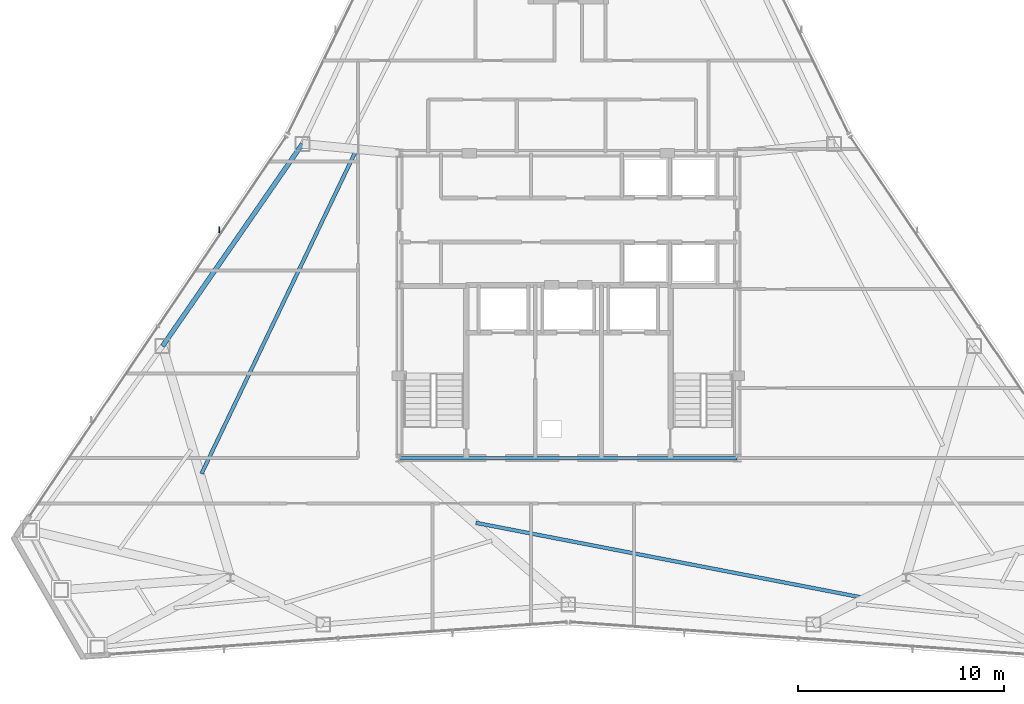
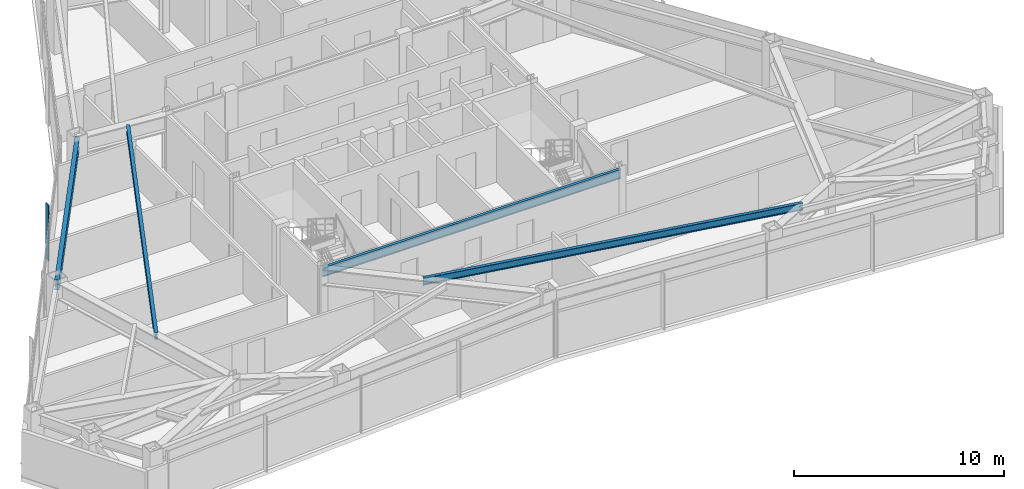
# One storey, part 4 of 12: 4 beams, 1 member, 1 element without a shape of its own.
"""IFC4 building model written with IfcOpenShell, lengths in metres."""

from ifc_helpers import new_model, si_unit, direction, frame, origin, origin_2d, place, context, subcontext, project, spatial, rectangle, i_section, extrude, source, transform, mapped, material, layer, layer_set, material_profile, profile_set, type_object, type_shapes, element, aggregate, save


model = new_model("IFC4")

# Units and contexts
model_context = context("Model", 3, precision=1e-05, world=origin(), true_north=direction((0.0, 1.0)))
body_context = subcontext(model_context, "Body", "Model", "MODEL_VIEW")
ifc_project = project(units=[si_unit("LENGTHUNIT", "METRE"), si_unit("AREAUNIT", "SQUARE_METRE"), si_unit("VOLUMEUNIT", "CUBIC_METRE"), si_unit("PLANEANGLEUNIT", "RADIAN"), si_unit("MASSUNIT", "GRAM", prefix="KILO")], contexts=[model_context])

# Site, building, storey
site_placement = place(None, origin())
site = spatial("IfcSite", under=ifc_project, at=site_placement, CompositionType="ELEMENT")
building_placement = place(site_placement, origin())
building = spatial("IfcBuilding", under=site, at=building_placement, Name="Varakhsha Concourse Tower", CompositionType="ELEMENT")
storey_placement = place(building_placement, frame((0.0, 0.0, 204.89990234375)))
storey = spatial("IfcBuildingStorey", under=building, at=storey_placement, Name="L58", CompositionType="ELEMENT", Elevation=204.89990234375)

# Beams
ifc_material_1 = material(Name="Structural Steel ASTM A992 Grade 50", Category="steel")
ifc_material_profile_1 = material_profile(ifc_material_1, i_section(OverallWidth=0.177978515625, OverallDepth=0.406982421875, WebThickness=0.008056640625, FlangeThickness=0.012939453125, at=origin_2d()), Name="W16X40")
ifc_profile_set_1 = profile_set([ifc_material_profile_1], Name="Structural Steel ASTM A992 Grade 50")
beam_type_1 = type_object("IfcBeamType", Name="BM-JST-W16X40", PredefinedType="JOIST", material=ifc_profile_set_1)
beam_1_placement = place(storey_placement, frame((29.681884765625, 31.29931640625, 3.046630859375), z_axis=(-0.431342995849, -0.902188018061, 0.0), x_axis=(0.902188018061, -0.431342995849, 0.0)))
element("IfcBeam", 1, at=beam_1_placement, inside=storey, type_object=beam_type_1, Name="BM-TJST-L58-05", PredefinedType="JOIST", context=body_context, shape_type="SweptSolid", body=[
    extrude(i_section(OverallWidth=0.177978515625, OverallDepth=0.406982421875, WebThickness=0.008056640625, FlangeThickness=0.012939453125, at=origin_2d()), origin(), (0.0, 0.0, 1.0), 17.354736328125),
])
beam_2_placement = place(storey_placement, frame((35.51611328125, 13.25390625, 3.046630859375), z_axis=(0.981811534661, -0.189858132318, 0.0), x_axis=(0.189858132318, 0.981811534661, 0.0)))
element("IfcBeam", 2, at=beam_2_placement, inside=storey, type_object=beam_type_1, Name="BM-TJST-L58-11", PredefinedType="JOIST", context=body_context, shape_type="SweptSolid", body=[
    extrude(i_section(OverallWidth=0.177978515625, OverallDepth=0.406982421875, WebThickness=0.008056640625, FlangeThickness=0.012939453125, at=origin_2d()), origin(), (0.0, 0.0, 1.0), 19.143310546875),
])
ifc_material_profile_2 = material_profile(ifc_material_1, i_section(OverallWidth=0.1669921875, OverallDepth=0.534912109375, WebThickness=0.010009765625, FlangeThickness=0.01708984375, at=origin_2d()), Name="W21X57")
ifc_profile_set_2 = profile_set([ifc_material_profile_2], Name="Structural Steel ASTM A992 Grade 50")
beam_type_2 = type_object("IfcBeamType", Name="BM-RAD-W21X57", PredefinedType="BEAM", material=ifc_profile_set_2)
beam_3_placement = place(storey_placement, frame((31.800048828125, 16.39990234375, 2.982666015625), z_axis=(1.0, 0.0, 0.0), x_axis=(0.0, 1.0, 0.0)))
element("IfcBeam", 3, at=beam_3_placement, inside=storey, type_object=beam_type_2, Name="BM-TCORE-L58-CS", PredefinedType="BEAM", context=body_context, shape_type="SweptSolid", body=[
    extrude(i_section(OverallWidth=0.1669921875, OverallDepth=0.534912109375, WebThickness=0.010009765625, FlangeThickness=0.01708984375, at=origin_2d()), origin(), (0.0, 0.0, 1.0), 16.39990234375),
])
ifc_material_profile_3 = material_profile(ifc_material_1, i_section(OverallWidth=0.22900390625, OverallDepth=0.612060546875, WebThickness=0.011962890625, FlangeThickness=0.02001953125, at=origin_2d()), Name="W24X84")
ifc_profile_set_3 = profile_set([ifc_material_profile_3], Name="Structural Steel ASTM A992 Grade 50")
beam_type_3 = type_object("IfcBeamType", Name="BM-SPAN-W24X84", PredefinedType="SPANDREL", material=ifc_profile_set_3)
beam_4_placement = place(storey_placement, frame((27.09375, 31.651611328125, 2.944091796875), z_axis=(-0.568940907467, -0.822378406703, 0.0), x_axis=(0.822378406703, -0.568940907467, 0.0)))
element("IfcBeam", 4, at=beam_4_placement, inside=storey, type_object=beam_type_3, Name="BM-SPAN-L58-05", PredefinedType="SPANDREL", context=body_context, shape_type="SweptSolid", body=[
    extrude(i_section(OverallWidth=0.22900390625, OverallDepth=0.612060546875, WebThickness=0.011962890625, FlangeThickness=0.02001953125, at=origin_2d()), origin(), (0.0, 0.0, 1.0), 11.9384765625),
])

# Curtain wall, member
ifc_material_2 = material(Name="Anodised Bronze Architectural Aluminium AA 6063-T6", Category="aluminium")
ifc_layer = layer(ifc_material_2, 0.199951171875, Name="CW-SYS-05")
ifc_layer_set = layer_set([ifc_layer], Name="Anodised Bronze Architectural Aluminium AA 6063-T6")
curtain_wall_type = type_object("IfcCurtainWallType", Name="CW-SYS-05", PredefinedType="NOTDEFINED", material=ifc_layer_set)
curtain_wall_placement = place(storey_placement, origin())
curtain_wall = element("IfcCurtainWall", 5, at=curtain_wall_placement, inside=storey, type_object=curtain_wall_type, Name="L58 Crystal Curtain Wall F3", PredefinedType="NOTDEFINED")
ifc_material_profile_4 = material_profile(ifc_material_2, rectangle(XDim=0.054931640625, YDim=0.300048828125, at=origin_2d()), Name="FIN-BRZ-300")
ifc_profile_set_4 = profile_set([ifc_material_profile_4], Name="Anodised Bronze Architectural Aluminium AA 6063-T6")
member_type = type_object("IfcMemberType", Name="FIN-BRZ-300", PredefinedType="USERDEFINED", material=ifc_profile_set_4)
shared_shape = source(origin(), body_context, "Body", "SweptSolid", [
    extrude(rectangle(XDim=0.054931640625, YDim=0.300048828125, at=origin_2d()), origin(), (0.0, 0.0, 1.0), 3.25),
])
type_shapes(member_type, [shared_shape])
member_placement = place(storey_placement, frame((23.055908203125, 27.4892578125, 0.0), z_axis=(0.0, 0.0, 1.0), x_axis=(1.0, 0.0, 0.0)))
member = element("IfcMember", 6, at=member_placement, type_object=member_type, Name="L58 Anodised Bronze Solar Fin F3-2", ObjectType="SOLAR FIN", PredefinedType="USERDEFINED", context=body_context, shape_type="MappedRepresentation", body=[
    mapped(shared_shape, transform((0.0, 0.0, 0.0), scale=1.0)),
])
aggregate(curtain_wall, [member])

save(model, "model.ifc")
